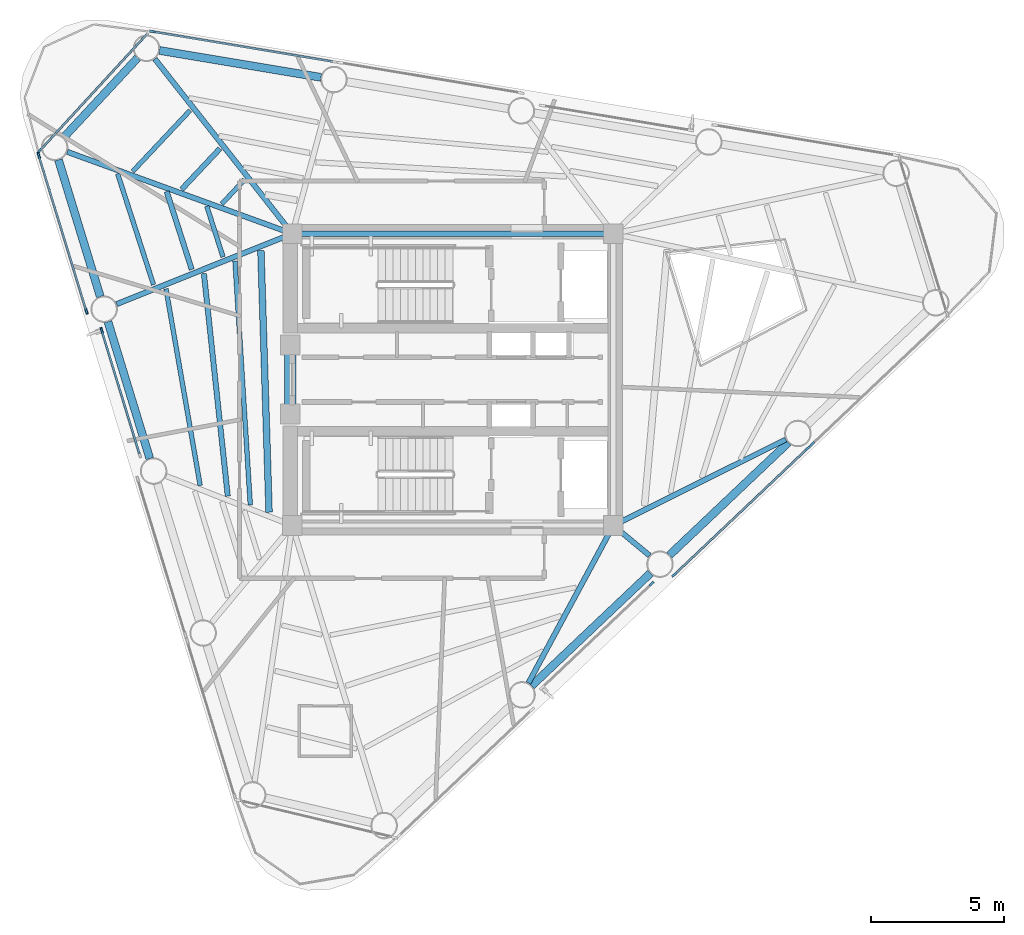
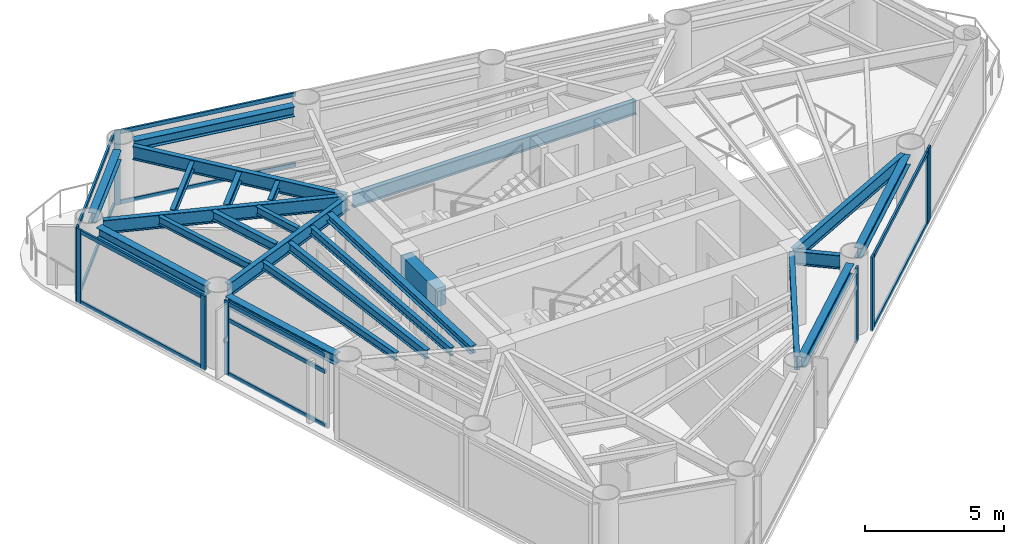
# One storey, part 2 of 9: 24 beams, 20 members, 7 elements without a shape of their own.
"""IFC4 building model written with IfcOpenShell, lengths in metres."""

from ifc_helpers import new_model, si_unit, direction, frame, origin, origin_2d, place, context, subcontext, project, spatial, rectangle, i_section, extrude, source, transform, mapped, material, layer, layer_set, material_profile, profile_set, type_object, element, aggregate, save


model = new_model("IFC4")

# Units and contexts
model_context = context("Model", 3, precision=1e-05, world=origin(), true_north=direction((0.0, 1.0)))
body_context = subcontext(model_context, "Body", "Model", "MODEL_VIEW")
ifc_project = project(units=[si_unit("LENGTHUNIT", "METRE"), si_unit("AREAUNIT", "SQUARE_METRE"), si_unit("VOLUMEUNIT", "CUBIC_METRE"), si_unit("PLANEANGLEUNIT", "RADIAN"), si_unit("MASSUNIT", "GRAM", prefix="KILO")], contexts=[model_context])

# Site, building, storey
site_placement = place(None, origin())
site = spatial("IfcSite", under=ifc_project, at=site_placement, CompositionType="ELEMENT")
building_placement = place(site_placement, origin())
building = spatial("IfcBuilding", under=site, at=building_placement, Name="Yunling Apex Tower", CompositionType="ELEMENT")
storey_placement = place(building_placement, frame((0.0, 0.0, 249.050048828125)))
storey = spatial("IfcBuildingStorey", under=building, at=storey_placement, Name="L61", CompositionType="ELEMENT", Elevation=249.050048828125)

# Beams
ifc_material_1 = material(Name="Concrete C40", Category="concrete")
ifc_material_profile_1 = material_profile(ifc_material_1, rectangle(XDim=0.449951171875, YDim=0.800048828125, at=origin_2d()))
ifc_profile_set_1 = profile_set([ifc_material_profile_1], Name="Concrete C40")
beam_type_1 = type_object("IfcBeamType", Name="BC-CPL-3", PredefinedType="BEAM", material=ifc_profile_set_1)
shared_shape_1 = source(origin(), body_context, "Body", "SweptSolid", [
    extrude(rectangle(XDim=0.449951171875, YDim=0.800048828125, at=origin_2d()), origin(), (0.0, 0.0, 1.0), 2.5),
])
beam_1_placement = place(storey_placement, frame((-6.125, -1.25, 2.780029296875), z_axis=(0.0, 1.0, 0.0), x_axis=(-1.0, 0.0, 0.0)))
element("IfcBeam", 1, at=beam_1_placement, inside=storey, type_object=beam_type_1, Name="L61 Core West Portal Coupling Beam", PredefinedType="BEAM", context=body_context, shape_type="MappedRepresentation", body=[
    mapped(shared_shape_1, transform((0.0, 0.0, 0.0), scale=1.0)),
])
ifc_material_2 = material(Name="Steel Q355B", Category="steel")
ifc_material_profile_2 = material_profile(ifc_material_2, i_section(OverallWidth=0.199951171875, OverallDepth=0.60009765625, WebThickness=0.010986328125, FlangeThickness=0.01708984375, FilletRadius=0.02197265625, at=origin_2d()))
ifc_profile_set_2 = profile_set([ifc_material_profile_2], Name="Steel Q355B")
beam_type_2 = type_object("IfcBeamType", Name="BG-PRI-5", PredefinedType="USERDEFINED", material=ifc_profile_set_2)
shared_shape_2 = source(origin(), body_context, "Body", "SweptSolid", [
    extrude(i_section(OverallWidth=0.199951171875, OverallDepth=0.60009765625, WebThickness=0.010986328125, FlangeThickness=0.01708984375, FilletRadius=0.02197265625, at=origin_2d()), origin(), (0.0, 0.0, 1.0), 11.7998046875),
])
beam_2_placement = place(storey_placement, frame((5.89990234375, 5.5, 2.8798828125), z_axis=(-1.0, 0.0, 0.0), x_axis=(0.0, -1.0, 0.0)))
element("IfcBeam", 2, at=beam_2_placement, inside=storey, type_object=beam_type_2, Name="L61 Core Ring Tie Beam 3", ObjectType="GIRDER", PredefinedType="USERDEFINED", context=body_context, shape_type="MappedRepresentation", body=[
    mapped(shared_shape_2, transform((0.0, 0.0, 0.0), scale=1.0)),
])
ifc_material_profile_3 = material_profile(ifc_material_2, i_section(OverallWidth=0.300048828125, OverallDepth=0.43994140625, WebThickness=0.010986328125, FlangeThickness=0.01806640625, FilletRadius=0.02197265625, at=origin_2d()))
ifc_profile_set_3 = profile_set([ifc_material_profile_3], Name="Steel Q355B")
beam_type_3 = type_object("IfcBeamType", Name="BP-SPN-3", PredefinedType="SPANDREL", material=ifc_profile_set_3)
shared_shape_3 = source(origin(), body_context, "Body", "SweptSolid", [
    extrude(i_section(OverallWidth=0.300048828125, OverallDepth=0.43994140625, WebThickness=0.010986328125, FlangeThickness=0.01806640625, FilletRadius=0.02197265625, at=origin_2d()), origin(), (0.0, 0.0, 1.0), 6.17333984375),
])
for number, where, z_axis, x_axis, name in (
    (3, (8.16748046875, -6.6162109375, 2.9599609375), (0.725853952128, 0.687848849807, 0.0), (-0.687848849807, 0.725853952128, 0.0), "L61 Perimeter Spandrel Beam 3"),
    (4, (-4.967041015625, 11.391845703125, 2.9599609375), (-0.986400336233, 0.164360508275, 0.0), (-0.164360508275, -0.986400336233, 0.0), "L61 Perimeter Spandrel Beam 9"),
):
    element("IfcBeam", number, at=place(storey_placement, frame(where, z_axis=z_axis, x_axis=x_axis)), inside=storey, type_object=beam_type_3, Name=name, PredefinedType="SPANDREL", context=body_context, shape_type="MappedRepresentation", body=[
        mapped(shared_shape_3, transform((0.0, 0.0, 0.0), scale=1.0)),
    ])
shared_shape_4 = source(origin(), body_context, "Body", "SweptSolid", [
    extrude(i_section(OverallWidth=0.300048828125, OverallDepth=0.43994140625, WebThickness=0.010986328125, FlangeThickness=0.01806640625, FilletRadius=0.02197265625, at=origin_2d()), origin(), (0.0, 0.0, 1.0), 6.173095703125),
])
beam_3_placement = place(storey_placement, frame((2.969482421875, -11.5419921875, 2.9599609375), z_axis=(0.725873697531, 0.687828012829, 0.0), x_axis=(-0.687828012829, 0.725873697531, 0.0)))
element("IfcBeam", 5, at=beam_3_placement, inside=storey, type_object=beam_type_3, Name="L61 Perimeter Spandrel Beam 2", PredefinedType="SPANDREL", context=body_context, shape_type="MappedRepresentation", body=[
    mapped(shared_shape_4, transform((0.0, 0.0, 0.0), scale=1.0)),
])
shared_shape_5 = source(origin(), body_context, "Body", "SweptSolid", [
    extrude(i_section(OverallWidth=0.300048828125, OverallDepth=0.43994140625, WebThickness=0.010986328125, FlangeThickness=0.01806640625, FilletRadius=0.02197265625, at=origin_2d()), origin(), (0.0, 0.0, 1.0), 4.1015625),
])
beam_4_placement = place(storey_placement, frame((-11.8798828125, 12.125732421875, 2.9599609375), z_axis=(-0.680585789197, -0.732668399443, 0.0), x_axis=(0.732668399443, -0.680585789197, 0.0)))
element("IfcBeam", 6, at=beam_4_placement, inside=storey, type_object=beam_type_3, Name="L61 Perimeter Spandrel Beam 10", PredefinedType="SPANDREL", context=body_context, shape_type="MappedRepresentation", body=[
    mapped(shared_shape_5, transform((0.0, 0.0, 0.0), scale=1.0)),
])
shared_shape_6 = source(origin(), body_context, "Body", "SweptSolid", [
    extrude(i_section(OverallWidth=0.300048828125, OverallDepth=0.43994140625, WebThickness=0.010986328125, FlangeThickness=0.01806640625, FilletRadius=0.02197265625, at=origin_2d()), origin(), (0.0, 0.0, 1.0), 5.39404296875),
])
for number, where, z_axis, x_axis, name in (
    (7, (-14.863037109375, 8.286376953125, 2.9599609375), (0.292393318538, -0.956298147689, 0.0), (0.956298147689, 0.292393318538, 0.0), "L61 Perimeter Spandrel Beam 11"),
    (8, (-12.997314453125, 2.183349609375, 2.9599609375), (0.292380663083, -0.956302017072, 0.0), (0.956302017072, 0.292380663083, 0.0), "L61 Perimeter Spandrel Beam 12"),
):
    element("IfcBeam", number, at=place(storey_placement, frame(where, z_axis=z_axis, x_axis=x_axis)), inside=storey, type_object=beam_type_3, Name=name, PredefinedType="SPANDREL", context=body_context, shape_type="MappedRepresentation", body=[
        mapped(shared_shape_6, transform((0.0, 0.0, 0.0), scale=1.0)),
    ])
shared_shape_7 = source(origin(), body_context, "Body", "SweptSolid", [
    extrude(i_section(OverallWidth=0.199951171875, OverallDepth=0.60009765625, WebThickness=0.010986328125, FlangeThickness=0.01708984375, FilletRadius=0.02197265625, at=origin_2d()), origin(), (0.0, 0.0, 1.0), 6.661865234375),
])
beam_5_placement = place(storey_placement, frame((2.851806640625, -11.434814453125, 2.8798828125), z_axis=(0.474372979845, 0.88032396082, 0.0), x_axis=(-0.88032396082, 0.474372979845, 0.0)))
element("IfcBeam", 9, at=beam_5_placement, inside=storey, type_object=beam_type_2, Name="L61 Radial Primary Girder R02", ObjectType="GIRDER", PredefinedType="USERDEFINED", context=body_context, shape_type="MappedRepresentation", body=[
    mapped(shared_shape_7, transform((0.0, 0.0, 0.0), scale=1.0)),
])
shared_shape_8 = source(origin(), body_context, "Body", "SweptSolid", [
    extrude(i_section(OverallWidth=0.199951171875, OverallDepth=0.60009765625, WebThickness=0.010986328125, FlangeThickness=0.01708984375, FilletRadius=0.02197265625, at=origin_2d()), origin(), (0.0, 0.0, 1.0), 1.695556640625),
])
beam_6_placement = place(storey_placement, frame((7.417724609375, -6.632080078125, 2.8798828125), z_axis=(-0.770365054174, 0.637603076614, 0.0), x_axis=(-0.637603076614, -0.770365054174, 0.0)))
element("IfcBeam", 10, at=beam_6_placement, inside=storey, type_object=beam_type_2, Name="L61 Radial Primary Girder R03", ObjectType="GIRDER", PredefinedType="USERDEFINED", context=body_context, shape_type="MappedRepresentation", body=[
    mapped(shared_shape_8, transform((0.0, 0.0, 0.0), scale=1.0)),
])
shared_shape_9 = source(origin(), body_context, "Body", "SweptSolid", [
    extrude(i_section(OverallWidth=0.199951171875, OverallDepth=0.60009765625, WebThickness=0.010986328125, FlangeThickness=0.01708984375, FilletRadius=0.02197265625, at=origin_2d()), origin(), (0.0, 0.0, 1.0), 7.1865234375),
])
beam_7_placement = place(storey_placement, frame((12.552490234375, -2.256591796875, 2.8798828125), z_axis=(-0.894854827722, -0.446357297803, 0.0), x_axis=(0.446357297803, -0.894854827722, 0.0)))
element("IfcBeam", 11, at=beam_7_placement, inside=storey, type_object=beam_type_2, Name="L61 Radial Primary Girder R04", ObjectType="GIRDER", PredefinedType="USERDEFINED", context=body_context, shape_type="MappedRepresentation", body=[
    mapped(shared_shape_9, transform((0.0, 0.0, 0.0), scale=1.0)),
])
shared_shape_10 = source(origin(), body_context, "Body", "SweptSolid", [
    extrude(i_section(OverallWidth=0.199951171875, OverallDepth=0.60009765625, WebThickness=0.010986328125, FlangeThickness=0.01708984375, FilletRadius=0.02197265625, at=origin_2d()), origin(), (0.0, 0.0, 1.0), 8.300537109375),
])
beam_8_placement = place(storey_placement, frame((-11.229736328125, 12.088134765625, 2.8798828125), z_axis=(0.618080016926, -0.786115190463, 0.0), x_axis=(0.786115190463, 0.618080016926, 0.0)))
element("IfcBeam", 12, at=beam_8_placement, inside=storey, type_object=beam_type_2, Name="L61 Radial Primary Girder R10", ObjectType="GIRDER", PredefinedType="USERDEFINED", context=body_context, shape_type="MappedRepresentation", body=[
    mapped(shared_shape_10, transform((0.0, 0.0, 0.0), scale=1.0)),
])
shared_shape_11 = source(origin(), body_context, "Body", "SweptSolid", [
    extrude(i_section(OverallWidth=0.199951171875, OverallDepth=0.60009765625, WebThickness=0.010986328125, FlangeThickness=0.01708984375, FilletRadius=0.02197265625, at=origin_2d()), origin(), (0.0, 0.0, 1.0), 8.943603515625),
])
beam_9_placement = place(storey_placement, frame((-14.530029296875, 8.5849609375, 2.8798828125), z_axis=(0.939745593755, -0.341874566205, 0.0), x_axis=(0.341874566205, 0.939745593755, 0.0)))
element("IfcBeam", 13, at=beam_9_placement, inside=storey, type_object=beam_type_2, Name="L61 Radial Primary Girder R11", ObjectType="GIRDER", PredefinedType="USERDEFINED", context=body_context, shape_type="MappedRepresentation", body=[
    mapped(shared_shape_11, transform((0.0, 0.0, 0.0), scale=1.0)),
])
shared_shape_12 = source(origin(), body_context, "Body", "SweptSolid", [
    extrude(i_section(OverallWidth=0.199951171875, OverallDepth=0.60009765625, WebThickness=0.010986328125, FlangeThickness=0.01708984375, FilletRadius=0.02197265625, at=origin_2d()), origin(), (0.0, 0.0, 1.0), 7.052734375),
])
beam_10_placement = place(storey_placement, frame((-12.670166015625, 2.8447265625, 2.8798828125), z_axis=(0.928127733356, 0.372261884399, 0.0), x_axis=(-0.372261884399, 0.928127733356, 0.0)))
element("IfcBeam", 14, at=beam_10_placement, inside=storey, type_object=beam_type_2, Name="L61 Radial Primary Girder R12", ObjectType="GIRDER", PredefinedType="USERDEFINED", context=body_context, shape_type="MappedRepresentation", body=[
    mapped(shared_shape_12, transform((0.0, 0.0, 0.0), scale=1.0)),
])
ifc_material_profile_4 = material_profile(ifc_material_2, i_section(OverallWidth=0.199951171875, OverallDepth=0.39990234375, WebThickness=0.008056640625, FlangeThickness=0.012939453125, FilletRadius=0.01611328125, at=origin_2d()))
ifc_profile_set_4 = profile_set([ifc_material_profile_4], Name="Steel Q355B")
beam_type_4 = type_object("IfcBeamType", Name="BS-SEC-4", PredefinedType="BEAM", material=ifc_profile_set_4)
shared_shape_13 = source(origin(), body_context, "Body", "SweptSolid", [
    extrude(i_section(OverallWidth=0.199951171875, OverallDepth=0.39990234375, WebThickness=0.008056640625, FlangeThickness=0.012939453125, FilletRadius=0.01611328125, at=origin_2d()), origin(), (0.0, 0.0, 1.0), 2.108154296875),
])
beam_11_placement = place(storey_placement, frame((-8.774169921875, 8.708984375, 2.97998046875), z_axis=(-0.684880497063, -0.728655408779, 0.0), x_axis=(0.728655408779, -0.684880497063, 0.0)))
element("IfcBeam", 15, at=beam_11_placement, inside=storey, type_object=beam_type_4, Name="L61 Composite Floor Beam BS-10", PredefinedType="BEAM", context=body_context, shape_type="MappedRepresentation", body=[
    mapped(shared_shape_13, transform((0.0, 0.0, 0.0), scale=1.0)),
])
ifc_material_profile_5 = material_profile(ifc_material_2, i_section(OverallWidth=0.175048828125, OverallDepth=0.35009765625, WebThickness=0.007080078125, FlangeThickness=0.010986328125, FilletRadius=0.013916015625, at=origin_2d()))
ifc_profile_set_5 = profile_set([ifc_material_profile_5], Name="Steel Q355B")
beam_type_5 = type_object("IfcBeamType", Name="BJ-JST-1", PredefinedType="JOIST", material=ifc_profile_set_5)
shared_shape_14 = source(origin(), body_context, "Body", "SweptSolid", [
    extrude(i_section(OverallWidth=0.175048828125, OverallDepth=0.35009765625, WebThickness=0.007080078125, FlangeThickness=0.010986328125, FilletRadius=0.013916015625, at=origin_2d()), origin(), (0.0, 0.0, 1.0), 3.157470703125),
])
beam_12_placement = place(storey_placement, frame((-9.903076171875, 10.14453125, 3.0048828125), z_axis=(-0.685403289292, -0.728163670494, 0.0), x_axis=(0.728163670494, -0.685403289292, 0.0)))
element("IfcBeam", 16, at=beam_12_placement, inside=storey, type_object=beam_type_5, Name="L61 Composite Floor Joist BJ1-10", PredefinedType="JOIST", context=body_context, shape_type="MappedRepresentation", body=[
    mapped(shared_shape_14, transform((0.0, 0.0, 0.0), scale=1.0)),
])
shared_shape_15 = source(origin(), body_context, "Body", "SweptSolid", [
    extrude(i_section(OverallWidth=0.175048828125, OverallDepth=0.35009765625, WebThickness=0.007080078125, FlangeThickness=0.010986328125, FilletRadius=0.013916015625, at=origin_2d()), origin(), (0.0, 0.0, 1.0), 1.249755859375),
])
beam_13_placement = place(storey_placement, frame((-7.8505859375, 7.5341796875, 3.0048828125), z_axis=(-0.683980120085, -0.729500647929, 0.0), x_axis=(0.729500647929, -0.683980120085, 0.0)))
element("IfcBeam", 17, at=beam_13_placement, inside=storey, type_object=beam_type_5, Name="L61 Composite Floor Joist BJ3-10", PredefinedType="JOIST", context=body_context, shape_type="MappedRepresentation", body=[
    mapped(shared_shape_15, transform((0.0, 0.0, 0.0), scale=1.0)),
])
shared_shape_16 = source(origin(), body_context, "Body", "SweptSolid", [
    extrude(i_section(OverallWidth=0.199951171875, OverallDepth=0.39990234375, WebThickness=0.008056640625, FlangeThickness=0.012939453125, FilletRadius=0.01611328125, at=origin_2d()), origin(), (0.0, 0.0, 1.0), 3.083251953125),
])
beam_14_placement = place(storey_placement, frame((-10.782958984375, 7.08740234375, 2.97998046875), z_axis=(0.306209104811, -0.951964276709, 0.0), x_axis=(0.951964276709, 0.306209104811, 0.0)))
element("IfcBeam", 18, at=beam_14_placement, inside=storey, type_object=beam_type_4, Name="L61 Composite Floor Beam BS-11", PredefinedType="BEAM", context=body_context, shape_type="MappedRepresentation", body=[
    mapped(shared_shape_16, transform((0.0, 0.0, 0.0), scale=1.0)),
])
shared_shape_17 = source(origin(), body_context, "Body", "SweptSolid", [
    extrude(i_section(OverallWidth=0.175048828125, OverallDepth=0.35009765625, WebThickness=0.007080078125, FlangeThickness=0.010986328125, FilletRadius=0.013916015625, at=origin_2d()), origin(), (0.0, 0.0, 1.0), 4.3984375),
])
beam_15_placement = place(storey_placement, frame((-12.6318359375, 7.760009765625, 3.0048828125), z_axis=(0.307505485962, -0.951546307913, 0.0), x_axis=(0.951546307913, 0.307505485962, 0.0)))
element("IfcBeam", 19, at=beam_15_placement, inside=storey, type_object=beam_type_5, Name="L61 Composite Floor Joist BJ1-11", PredefinedType="JOIST", context=body_context, shape_type="MappedRepresentation", body=[
    mapped(shared_shape_17, transform((0.0, 0.0, 0.0), scale=1.0)),
])
shared_shape_18 = source(origin(), body_context, "Body", "SweptSolid", [
    extrude(i_section(OverallWidth=0.175048828125, OverallDepth=0.35009765625, WebThickness=0.007080078125, FlangeThickness=0.010986328125, FilletRadius=0.013916015625, at=origin_2d()), origin(), (0.0, 0.0, 1.0), 2.0068359375),
])
beam_16_placement = place(storey_placement, frame((-9.2705078125, 6.536865234375, 3.0048828125), z_axis=(0.304011984445, -0.95266820736, 0.0), x_axis=(0.95266820736, 0.304011984445, 0.0)))
element("IfcBeam", 20, at=beam_16_placement, inside=storey, type_object=beam_type_5, Name="L61 Composite Floor Joist BJ3-11", PredefinedType="JOIST", context=body_context, shape_type="MappedRepresentation", body=[
    mapped(shared_shape_18, transform((0.0, 0.0, 0.0), scale=1.0)),
])
shared_shape_19 = source(origin(), body_context, "Body", "SweptSolid", [
    extrude(i_section(OverallWidth=0.199951171875, OverallDepth=0.39990234375, WebThickness=0.008056640625, FlangeThickness=0.012939453125, FilletRadius=0.01611328125, at=origin_2d()), origin(), (0.0, 0.0, 1.0), 8.439208984375),
])
beam_17_placement = place(storey_placement, frame((-9.380126953125, 3.998291015625, 2.97998046875), z_axis=(0.106576025189, -0.994304556389, 0.0), x_axis=(0.994304556389, 0.106576025189, 0.0)))
element("IfcBeam", 21, at=beam_17_placement, inside=storey, type_object=beam_type_4, Name="L61 Composite Floor Beam BS-12", PredefinedType="BEAM", context=body_context, shape_type="MappedRepresentation", body=[
    mapped(shared_shape_19, transform((0.0, 0.0, 0.0), scale=1.0)),
])
shared_shape_20 = source(origin(), body_context, "Body", "SweptSolid", [
    extrude(i_section(OverallWidth=0.175048828125, OverallDepth=0.35009765625, WebThickness=0.007080078125, FlangeThickness=0.010986328125, FilletRadius=0.013916015625, at=origin_2d()), origin(), (0.0, 0.0, 1.0), 7.523681640625),
])
beam_18_placement = place(storey_placement, frame((-10.809814453125, 3.42236328125, 3.0048828125), z_axis=(0.171367194042, -0.985207229372, 0.0), x_axis=(0.985207229372, 0.171367194042, 0.0)))
element("IfcBeam", 22, at=beam_18_placement, inside=storey, type_object=beam_type_5, Name="L61 Composite Floor Joist BJ1-12", PredefinedType="JOIST", context=body_context, shape_type="MappedRepresentation", body=[
    mapped(shared_shape_20, transform((0.0, 0.0, 0.0), scale=1.0)),
])
shared_shape_21 = source(origin(), body_context, "Body", "SweptSolid", [
    extrude(i_section(OverallWidth=0.175048828125, OverallDepth=0.35009765625, WebThickness=0.007080078125, FlangeThickness=0.010986328125, FilletRadius=0.013916015625, at=origin_2d()), origin(), (0.0, 0.0, 1.0), 9.211669921875),
])
beam_19_placement = place(storey_placement, frame((-8.208984375, 4.470458984375, 3.0048828125), z_axis=(0.062680234959, -0.998033660828, 0.0), x_axis=(0.998033660828, 0.062680234959, 0.0)))
element("IfcBeam", 23, at=beam_19_placement, inside=storey, type_object=beam_type_5, Name="L61 Composite Floor Joist BJ3-12", PredefinedType="JOIST", context=body_context, shape_type="MappedRepresentation", body=[
    mapped(shared_shape_21, transform((0.0, 0.0, 0.0), scale=1.0)),
])
ifc_material_profile_6 = material_profile(ifc_material_2, i_section(OverallWidth=0.25, OverallDepth=0.340087890625, WebThickness=0.009033203125, FlangeThickness=0.013916015625, FilletRadius=0.01806640625, at=origin_2d()))
ifc_profile_set_6 = profile_set([ifc_material_profile_6], Name="Steel Q355B")
beam_type_6 = type_object("IfcBeamType", Name="BJ-JST-2", PredefinedType="JOIST", material=ifc_profile_set_6)
shared_shape_22 = source(origin(), body_context, "Body", "SweptSolid", [
    extrude(i_section(OverallWidth=0.25, OverallDepth=0.340087890625, WebThickness=0.009033203125, FlangeThickness=0.013916015625, FilletRadius=0.01806640625, at=origin_2d()), origin(), (0.0, 0.0, 1.0), 9.867431640625),
])
beam_20_placement = place(storey_placement, frame((-7.232177734375, 4.864013671875, 3.010009765625), z_axis=(0.03115055603, -0.999514703673, 0.0), x_axis=(0.999514703673, 0.03115055603, 0.0)))
element("IfcBeam", 24, at=beam_20_placement, inside=storey, type_object=beam_type_6, Name="L61 Composite Floor Joist BJ2-12", PredefinedType="JOIST", context=body_context, shape_type="MappedRepresentation", body=[
    mapped(shared_shape_22, transform((0.0, 0.0, 0.0), scale=1.0)),
])

# Curtain wall, members
ifc_material_3 = material(Name="Bronze anodised aluminium", Category="aluminium")
ifc_layer = layer(ifc_material_3, 0.219970703125)
ifc_layer_set = layer_set([ifc_layer], Name="Bronze anodised aluminium")
curtain_wall_type = type_object("IfcCurtainWallType", Name="CW-SYS-4", PredefinedType="NOTDEFINED", material=ifc_layer_set)
curtain_wall_1_placement = place(storey_placement, origin())
curtain_wall_1 = element("IfcCurtainWall", 25, at=curtain_wall_1_placement, inside=storey, type_object=curtain_wall_type, Name="CW-L61-F1-B3", PredefinedType="NOTDEFINED")
ifc_material_profile_7 = material_profile(ifc_material_3, rectangle(XDim=0.080078125, YDim=0.169921875, at=origin_2d()))
ifc_profile_set_7 = profile_set([ifc_material_profile_7], Name="Bronze anodised aluminium")
member_type_1 = type_object("IfcMemberType", Name="CW-TRN-4", PredefinedType="USERDEFINED", material=ifc_profile_set_7)
shared_shape_23 = source(origin(), body_context, "Body", "SweptSolid", [
    extrude(rectangle(XDim=0.080078125, YDim=0.169921875, at=origin_2d()), origin(), (0.0, 0.0, 1.0), 6.849365234375),
])
member_1_placement = place(storey_placement, frame((8.376220703125, -7.32763671875, 0.0400390625), z_axis=(0.725867443411, 0.687834612822, 0.0), x_axis=(-0.687834612822, 0.725867443411, 0.0)))
member_1 = element("IfcMember", 26, at=member_1_placement, type_object=member_type_1, Name="CW-SYS-4 transom 1.1", ObjectType="TRANSOM", PredefinedType="USERDEFINED", context=body_context, shape_type="MappedRepresentation", body=[
    mapped(shared_shape_23, transform((0.0, 0.0, 0.0), scale=1.0)),
])
member_2_placement = place(storey_placement, frame((8.376220703125, -7.32763671875, 3.139892578125), z_axis=(0.725867443411, 0.687834612822, 0.0), x_axis=(-0.687834612822, 0.725867443411, 0.0)))
member_2 = element("IfcMember", 27, at=member_2_placement, type_object=member_type_1, Name="CW-SYS-4 transom 1.2", ObjectType="TRANSOM", PredefinedType="USERDEFINED", context=body_context, shape_type="MappedRepresentation", body=[
    mapped(shared_shape_23, transform((0.0, 0.0, 0.0), scale=1.0)),
])

curtain_wall_2_placement = place(storey_placement, origin())
curtain_wall_2 = element("IfcCurtainWall", 28, at=curtain_wall_2_placement, inside=storey, type_object=curtain_wall_type, Name="CW-L61-F2-B4", PredefinedType="NOTDEFINED")
shared_shape_24 = source(origin(), body_context, "Body", "SweptSolid", [
    extrude(rectangle(XDim=0.080078125, YDim=0.169921875, at=origin_2d()), origin(), (0.0, 0.0, 1.0), 6.849609375),
])
member_3_placement = place(storey_placement, frame((-4.525146484375, 11.9873046875, 0.0400390625), z_axis=(-0.986401629478, 0.164352746749, 0.0), x_axis=(-0.164352746749, -0.986401629478, 0.0)))
member_3 = element("IfcMember", 29, at=member_3_placement, type_object=member_type_1, Name="CW-SYS-4 transom 1.1", ObjectType="TRANSOM", PredefinedType="USERDEFINED", context=body_context, shape_type="MappedRepresentation", body=[
    mapped(shared_shape_24, transform((0.0, 0.0, 0.0), scale=1.0)),
])
member_4_placement = place(storey_placement, frame((-4.525146484375, 11.9873046875, 3.139892578125), z_axis=(-0.986401629478, 0.164352746749, 0.0), x_axis=(-0.164352746749, -0.986401629478, 0.0)))
member_4 = element("IfcMember", 30, at=member_4_placement, type_object=member_type_1, Name="CW-SYS-4 transom 1.2", ObjectType="TRANSOM", PredefinedType="USERDEFINED", context=body_context, shape_type="MappedRepresentation", body=[
    mapped(shared_shape_24, transform((0.0, 0.0, 0.0), scale=1.0)),
])

curtain_wall_3_placement = place(storey_placement, origin())
curtain_wall_3 = element("IfcCurtainWall", 31, at=curtain_wall_3_placement, inside=storey, type_object=curtain_wall_type, Name="CW-L61-CRN2", PredefinedType="NOTDEFINED")
shared_shape_25 = source(origin(), body_context, "Body", "SweptSolid", [
    extrude(rectangle(XDim=0.080078125, YDim=0.169921875, at=origin_2d()), origin(), (0.0, 0.0, 1.0), 6.025390625),
])
member_5_placement = place(storey_placement, frame((-11.489990234375, 13.06298828125, 0.0400390625), z_axis=(-0.676824761053, -0.736144172582, 0.0), x_axis=(0.736144172582, -0.676824761053, 0.0)))
member_5 = element("IfcMember", 32, at=member_5_placement, type_object=member_type_1, Name="CW-SYS-4 transom 1.1", ObjectType="TRANSOM", PredefinedType="USERDEFINED", context=body_context, shape_type="MappedRepresentation", body=[
    mapped(shared_shape_25, transform((0.0, 0.0, 0.0), scale=1.0)),
])
member_6_placement = place(storey_placement, frame((-11.489990234375, 13.06298828125, 3.139892578125), z_axis=(-0.676824761053, -0.736144172582, 0.0), x_axis=(0.736144172582, -0.676824761053, 0.0)))
member_6 = element("IfcMember", 33, at=member_6_placement, type_object=member_type_1, Name="CW-SYS-4 transom 1.2", ObjectType="TRANSOM", PredefinedType="USERDEFINED", context=body_context, shape_type="MappedRepresentation", body=[
    mapped(shared_shape_25, transform((0.0, 0.0, 0.0), scale=1.0)),
])

curtain_wall_4_placement = place(storey_placement, origin())
curtain_wall_4 = element("IfcCurtainWall", 34, at=curtain_wall_4_placement, inside=storey, type_object=curtain_wall_type, Name="CW-L61-F3-B1", PredefinedType="NOTDEFINED")
shared_shape_26 = source(origin(), body_context, "Body", "SweptSolid", [
    extrude(rectangle(XDim=0.080078125, YDim=0.169921875, at=origin_2d()), origin(), (0.0, 0.0, 1.0), 6.06982421875),
])
member_7_placement = place(storey_placement, frame((-15.593017578125, 8.41650390625, 0.0400390625), z_axis=(0.292369766892, -0.956305348415, 0.0), x_axis=(0.956305348415, 0.292369766892, 0.0)))
member_7 = element("IfcMember", 35, at=member_7_placement, type_object=member_type_1, Name="CW-SYS-4 transom 1.1", ObjectType="TRANSOM", PredefinedType="USERDEFINED", context=body_context, shape_type="MappedRepresentation", body=[
    mapped(shared_shape_26, transform((0.0, 0.0, 0.0), scale=1.0)),
])
member_8_placement = place(storey_placement, frame((-15.593017578125, 8.41650390625, 3.139892578125), z_axis=(0.292369766892, -0.956305348415, 0.0), x_axis=(0.956305348415, 0.292369766892, 0.0)))
member_8 = element("IfcMember", 36, at=member_8_placement, type_object=member_type_1, Name="CW-SYS-4 transom 1.2", ObjectType="TRANSOM", PredefinedType="USERDEFINED", context=body_context, shape_type="MappedRepresentation", body=[
    mapped(shared_shape_26, transform((0.0, 0.0, 0.0), scale=1.0)),
])

curtain_wall_5_placement = place(storey_placement, origin())
curtain_wall_5 = element("IfcCurtainWall", 37, at=curtain_wall_5_placement, inside=storey, type_object=curtain_wall_type, Name="CW-L61-F3-B2", PredefinedType="NOTDEFINED")
shared_shape_27 = source(origin(), body_context, "Body", "SweptSolid", [
    extrude(rectangle(XDim=0.080078125, YDim=0.169921875, at=origin_2d()), origin(), (0.0, 0.0, 1.0), 4.829833984375),
])
member_9_placement = place(storey_placement, frame((-13.220703125, 1.820068359375, 0.0400390625), z_axis=(0.292366214736, -0.956306434403, 0.0), x_axis=(0.956306434403, 0.292366214736, 0.0)))
member_9 = element("IfcMember", 38, at=member_9_placement, type_object=member_type_1, Name="CW-SYS-4 transom 1.1", ObjectType="TRANSOM", PredefinedType="USERDEFINED", context=body_context, shape_type="MappedRepresentation", body=[
    mapped(shared_shape_27, transform((0.0, 0.0, 0.0), scale=1.0)),
])
member_10_placement = place(storey_placement, frame((-13.220703125, 1.820068359375, 2.416748046875), z_axis=(0.292366214736, -0.956306434403, 0.0), x_axis=(0.956306434403, 0.292366214736, 0.0)))
member_10 = element("IfcMember", 39, at=member_10_placement, type_object=member_type_1, Name="CW-SYS-4 transom 1.2", ObjectType="TRANSOM", PredefinedType="USERDEFINED", context=body_context, shape_type="MappedRepresentation", body=[
    mapped(shared_shape_27, transform((0.0, 0.0, 0.0), scale=1.0)),
])
member_11_placement = place(storey_placement, frame((-13.220703125, 1.820068359375, 3.139892578125), z_axis=(0.292366214736, -0.956306434403, 0.0), x_axis=(0.956306434403, 0.292366214736, 0.0)))
member_11 = element("IfcMember", 40, at=member_11_placement, type_object=member_type_1, Name="CW-SYS-4 transom 1.3", ObjectType="TRANSOM", PredefinedType="USERDEFINED", context=body_context, shape_type="MappedRepresentation", body=[
    mapped(shared_shape_27, transform((0.0, 0.0, 0.0), scale=1.0)),
])

# Curtain wall, member
curtain_wall_6_placement = place(storey_placement, origin())
curtain_wall_6 = element("IfcCurtainWall", 41, at=curtain_wall_6_placement, inside=storey, type_object=curtain_wall_type, Name="CW-L61-F1-B2", PredefinedType="NOTDEFINED")
ifc_material_profile_8 = material_profile(ifc_material_3, rectangle(XDim=0.080078125, YDim=0.219970703125, at=origin_2d()))
ifc_profile_set_8 = profile_set([ifc_material_profile_8], Name="Bronze anodised aluminium")
member_type_2 = type_object("IfcMemberType", Name="CW-MUL-4", PredefinedType="MULLION", material=ifc_profile_set_8)
shared_shape_28 = source(origin(), body_context, "Body", "SweptSolid", [
    extrude(rectangle(XDim=0.080078125, YDim=0.219970703125, at=origin_2d()), origin(), (0.0, 0.0, 1.0), 3.280029296875),
])
member_12_placement = place(storey_placement, frame((7.491943359375, -7.697265625, -0.050048828125), z_axis=(0.0, 0.0, 1.0), x_axis=(-0.687854406681, 0.725848686167, 0.0)))
member_12 = element("IfcMember", 42, at=member_12_placement, type_object=member_type_2, Name="CW-SYS-4 mullion 2", PredefinedType="MULLION", context=body_context, shape_type="MappedRepresentation", body=[
    mapped(shared_shape_28, transform((0.0, 0.0, 0.0), scale=1.0)),
])
aggregate(curtain_wall_6, [member_12])

# Member
member_13_placement = place(storey_placement, frame((8.35009765625, -7.3525390625, -0.050048828125), z_axis=(0.0, 0.0, 1.0), x_axis=(-0.687848040467, 0.72585471909, 0.0)))
member_13 = element("IfcMember", 43, at=member_13_placement, type_object=member_type_2, Name="CW-SYS-4 mullion 1", PredefinedType="MULLION", context=body_context, shape_type="MappedRepresentation", body=[
    mapped(shared_shape_28, transform((0.0, 0.0, 0.0), scale=1.0)),
])

member_14_placement = place(storey_placement, frame((13.3740234375, -2.591552734375, -0.050048828125), z_axis=(0.0, 0.0, 1.0), x_axis=(-0.687848040467, 0.72585471909, 0.0)))
member_14 = element("IfcMember", 44, at=member_14_placement, type_object=member_type_2, Name="CW-SYS-4 mullion 2", PredefinedType="MULLION", context=body_context, shape_type="MappedRepresentation", body=[
    mapped(shared_shape_28, transform((0.0, 0.0, 0.0), scale=1.0)),
])

aggregate(curtain_wall_1, [member_13, member_14, member_1, member_2])

# Curtain wall, member
curtain_wall_7_placement = place(storey_placement, origin())
curtain_wall_7 = element("IfcCurtainWall", 45, at=curtain_wall_7_placement, inside=storey, type_object=curtain_wall_type, Name="CW-L61-F1-B4", PredefinedType="NOTDEFINED")
member_15_placement = place(storey_placement, frame((13.54833984375, -2.426513671875, -0.050048828125), z_axis=(0.0, 0.0, 1.0), x_axis=(-0.687848040467, 0.72585471909, 0.0)))
member_15 = element("IfcMember", 46, at=member_15_placement, type_object=member_type_2, Name="CW-SYS-4 mullion 1", PredefinedType="MULLION", context=body_context, shape_type="MappedRepresentation", body=[
    mapped(shared_shape_28, transform((0.0, 0.0, 0.0), scale=1.0)),
])
aggregate(curtain_wall_7, [member_15])

# Member
member_16_placement = place(storey_placement, frame((-11.31689453125, 13.118896484375, -0.050048828125), z_axis=(0.0, 0.0, 1.0), x_axis=(-0.164352664392, -0.9864016432, 0.0)))
member_16 = element("IfcMember", 47, at=member_16_placement, type_object=member_type_2, Name="CW-SYS-4 mullion 2", PredefinedType="MULLION", context=body_context, shape_type="MappedRepresentation", body=[
    mapped(shared_shape_28, transform((0.0, 0.0, 0.0), scale=1.0)),
])

aggregate(curtain_wall_2, [member_16, member_3, member_4])

member_17_placement = place(storey_placement, frame((-15.592529296875, 8.60107421875, -0.050048828125), z_axis=(0.0, 0.0, 1.0), x_axis=(0.736133922549, -0.676835909266, 0.0)))
member_17 = element("IfcMember", 48, at=member_17_placement, type_object=member_type_2, Name="CW-SYS-4 mullion 2", PredefinedType="MULLION", context=body_context, shape_type="MappedRepresentation", body=[
    mapped(shared_shape_28, transform((0.0, 0.0, 0.0), scale=1.0)),
])

aggregate(curtain_wall_3, [member_17, member_5, member_6])

member_18_placement = place(storey_placement, frame((-15.603515625, 8.450927734375, -0.050048828125), z_axis=(0.0, 0.0, 1.0), x_axis=(0.956304646078, 0.29237206414, 0.0)))
member_18 = element("IfcMember", 49, at=member_18_placement, type_object=member_type_2, Name="CW-SYS-4 mullion 1", PredefinedType="MULLION", context=body_context, shape_type="MappedRepresentation", body=[
    mapped(shared_shape_28, transform((0.0, 0.0, 0.0), scale=1.0)),
])

member_19_placement = place(storey_placement, frame((-13.807861328125, 2.577392578125, -0.050048828125), z_axis=(0.0, 0.0, 1.0), x_axis=(0.956304646078, 0.29237206414, 0.0)))
member_19 = element("IfcMember", 50, at=member_19_placement, type_object=member_type_2, Name="CW-SYS-4 mullion 2", PredefinedType="MULLION", context=body_context, shape_type="MappedRepresentation", body=[
    mapped(shared_shape_28, transform((0.0, 0.0, 0.0), scale=1.0)),
])

aggregate(curtain_wall_4, [member_18, member_19, member_7, member_8])

member_20_placement = place(storey_placement, frame((-13.231201171875, 1.8544921875, -0.050048828125), z_axis=(0.0, 0.0, 1.0), x_axis=(0.956304345474, 0.29237304737, 0.0)))
member_20 = element("IfcMember", 51, at=member_20_placement, type_object=member_type_2, Name="CW-SYS-4 mullion 1", PredefinedType="MULLION", context=body_context, shape_type="MappedRepresentation", body=[
    mapped(shared_shape_28, transform((0.0, 0.0, 0.0), scale=1.0)),
])

aggregate(curtain_wall_5, [member_20, member_9, member_10, member_11])

save(model, "model.ifc")
